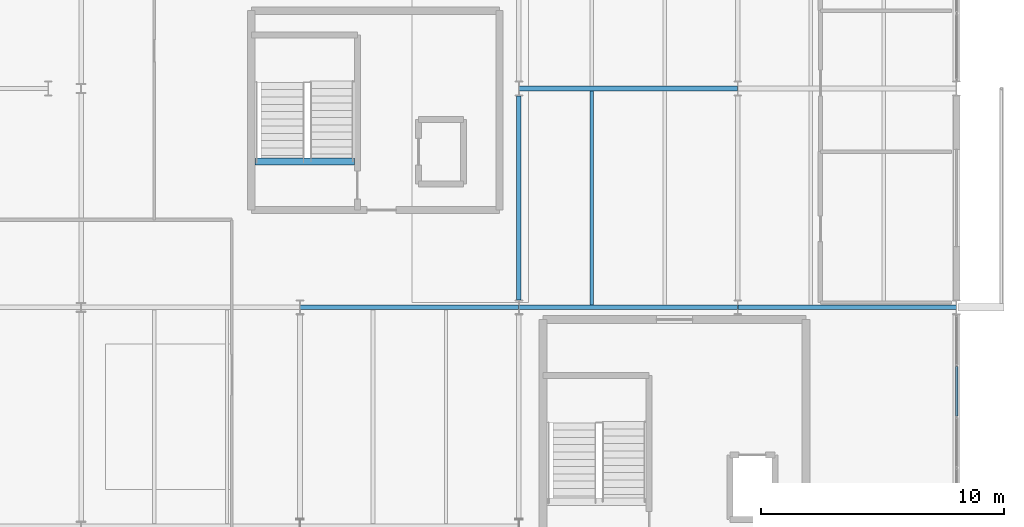
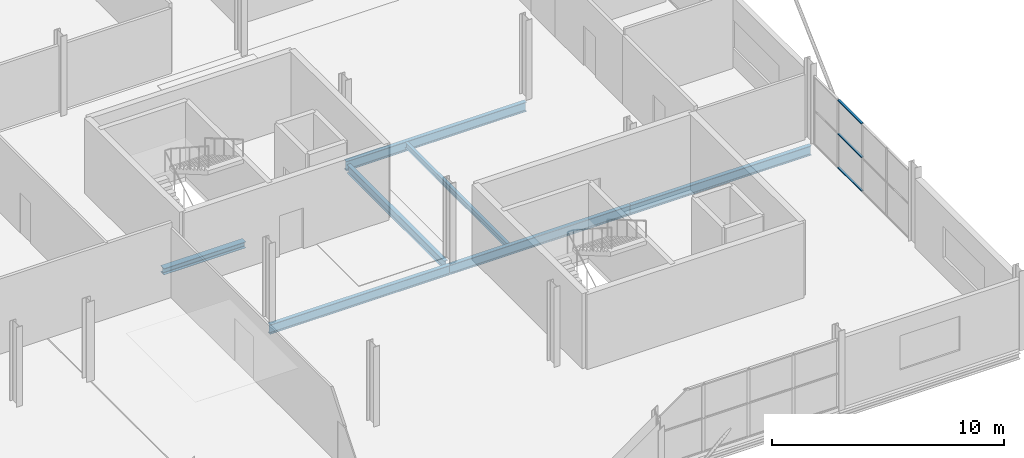
# One storey, part 35 of 59: 7 beams, 3 members, 1 element without a shape of its own.
"""IFC4 building model written with IfcOpenShell, lengths in metres."""

from ifc_helpers import new_model, si_unit, direction, frame, origin, origin_2d, place, context, subcontext, project, spatial, hollow_rectangle, i_section, extrude, material, layer, layer_set, material_profile, profile_set, type_object, element, aggregate, save


model = new_model("IFC4")

# Units and contexts
model_context = context("Model", 3, precision=1e-05, world=origin(), true_north=direction((0.0, 1.0)))
body_context = subcontext(model_context, "Body", "Model", "MODEL_VIEW")
ifc_project = project(units=[si_unit("LENGTHUNIT", "METRE"), si_unit("AREAUNIT", "SQUARE_METRE"), si_unit("VOLUMEUNIT", "CUBIC_METRE"), si_unit("PLANEANGLEUNIT", "RADIAN"), si_unit("MASSUNIT", "GRAM", prefix="KILO")], contexts=[model_context])

# Site, building, storey
site_placement = place(None, origin())
site = spatial("IfcSite", under=ifc_project, at=site_placement, CompositionType="ELEMENT")
building_placement = place(site_placement, origin())
building = spatial("IfcBuilding", under=site, at=building_placement, Name="Deido Ridge Mobility Hub", CompositionType="ELEMENT")
storey_placement = place(building_placement, frame((0.0, 0.0, 21.0)))
storey = spatial("IfcBuildingStorey", under=building, at=storey_placement, Name="L05", CompositionType="ELEMENT", Elevation=21.0)

# Beams
ifc_material_1 = material(Name="Steel S355J2 EN 10025-2", Category="steel")
ifc_material_profile_1 = material_profile(ifc_material_1, i_section(OverallWidth=0.300048828125, OverallDepth=0.330078125, WebThickness=0.009521484375, FlangeThickness=0.0166015625, FilletRadius=0.027099609375, at=origin_2d()), Name="HEA 340")
ifc_profile_set_1 = profile_set([ifc_material_profile_1], Name="Steel S355J2 EN 10025-2")
beam_type_1 = type_object("IfcBeamType", Name="BM-HEA340", PredefinedType="BEAM", material=ifc_profile_set_1)
beam_1_placement = place(storey_placement, frame((151.14990234375, 24.0, -0.409912109375), z_axis=(1.0, 0.0, 0.0), x_axis=(0.0, 1.0, 0.0)))
element("IfcBeam", 1, at=beam_1_placement, inside=storey, type_object=beam_type_1, Name="C3 stair landing trimmer beam B6", PredefinedType="BEAM", context=body_context, shape_type="SweptSolid", body=[
    extrude(i_section(OverallWidth=0.300048828125, OverallDepth=0.330078125, WebThickness=0.009521484375, FlangeThickness=0.0166015625, FilletRadius=0.027099609375, at=origin_2d()), origin(), (0.0, 0.0, 1.0), 4.085205078125),
])
ifc_material_profile_2 = material_profile(ifc_material_1, i_section(OverallWidth=0.18994140625, OverallDepth=0.449951171875, WebThickness=0.009521484375, FlangeThickness=0.0146484375, FilletRadius=0.02099609375, at=origin_2d()), Name="IPE 450")
ifc_profile_set_2 = profile_set([ifc_material_profile_2], Name="Steel S355J2 EN 10025-2")
beam_type_2 = type_object("IfcBeamType", Name="BM-IPE450", PredefinedType="BEAM", material=ifc_profile_set_2)
beam_2_placement = place(storey_placement, frame((162.0, 18.300048828125, -0.469970703125), z_axis=(0.0, 1.0, 0.0), x_axis=(-1.0, 0.0, 0.0)))
element("IfcBeam", 2, at=beam_2_placement, inside=storey, type_object=beam_type_2, Name="Floor beam B4", PredefinedType="BEAM", context=body_context, shape_type="SweptSolid", body=[
    extrude(i_section(OverallWidth=0.18994140625, OverallDepth=0.449951171875, WebThickness=0.009521484375, FlangeThickness=0.0146484375, FilletRadius=0.02099609375, at=origin_2d()), origin(), (0.0, 0.0, 1.0), 8.39990234375),
])
ifc_material_profile_3 = material_profile(ifc_material_1, i_section(OverallWidth=0.199951171875, OverallDepth=0.5, WebThickness=0.01025390625, FlangeThickness=0.01611328125, FilletRadius=0.02099609375, at=origin_2d()), Name="IPE 500")
ifc_profile_set_3 = profile_set([ifc_material_profile_3], Name="Steel S355J2 EN 10025-2")
beam_type_3 = type_object("IfcBeamType", Name="BM-IPE500", PredefinedType="BEAM", material=ifc_profile_set_3)
for number, where, z_axis, x_axis, name in (
    (3, (153.0078125, 18.0, -0.4951171875), (1.0, 0.0, 0.0), (0.0, 1.0, 0.0), "Floor beam B3"),
    (4, (162.0078125, 18.0, -0.4951171875), (1.0, 0.0, 0.0), (0.0, 1.0, 0.0), "Floor beam B3"),
    (5, (171.0078125, 18.0, -0.4951171875), (1.0, 0.0, 0.0), (0.0, 1.0, 0.0), "Floor beam B3"),
    (6, (162.0078125, 27.0, -0.4951171875), (1.0, 0.0, 0.0), (0.0, 1.0, 0.0), "Floor beam B3"),
):
    element("IfcBeam", number, at=place(storey_placement, frame(where, z_axis=z_axis, x_axis=x_axis)), inside=storey, type_object=beam_type_3, Name=name, PredefinedType="BEAM", context=body_context, shape_type="SweptSolid", body=[
        extrude(i_section(OverallWidth=0.199951171875, OverallDepth=0.5, WebThickness=0.01025390625, FlangeThickness=0.01611328125, FilletRadius=0.02099609375, at=origin_2d()), origin(), (0.0, 0.0, 1.0), 8.984375),
    ])
ifc_material_profile_4 = material_profile(ifc_material_1, i_section(OverallWidth=0.14990234375, OverallDepth=0.300048828125, WebThickness=0.007080078125, FlangeThickness=0.0107421875, FilletRadius=0.014892578125, at=origin_2d()), Name="IPE 300")
ifc_profile_set_4 = profile_set([ifc_material_profile_4], Name="Steel S355J2 EN 10025-2")
beam_type_4 = type_object("IfcBeamType", Name="JST-IPE300", PredefinedType="JOIST", material=ifc_profile_set_4)
beam_3_placement = place(storey_placement, frame((165.0, 18.10009765625, -0.39501953125), z_axis=(0.0, 1.0, 0.0), x_axis=(-1.0, 0.0, 0.0)))
element("IfcBeam", 7, at=beam_3_placement, inside=storey, type_object=beam_type_4, Name="Composite joist J3", PredefinedType="JOIST", context=body_context, shape_type="SweptSolid", body=[
    extrude(i_section(OverallWidth=0.14990234375, OverallDepth=0.300048828125, WebThickness=0.007080078125, FlangeThickness=0.0107421875, FilletRadius=0.014892578125, at=origin_2d()), origin(), (0.0, 0.0, 1.0), 8.7998046875),
])

# Curtain wall, members
ifc_material_2 = material(Name="Anodised aluminium EN AW-6063 T6", Category="aluminium")
ifc_layer = layer(ifc_material_2, 0.1650390625, Name="Anodised aluminium EN AW-6063 T6")
ifc_layer_set = layer_set([ifc_layer], Name="Anodised aluminium EN AW-6063 T6")
curtain_wall_type = type_object("IfcCurtainWallType", Name="CW-UF-1", PredefinedType="USERDEFINED", material=ifc_layer_set)
curtain_wall_placement = place(storey_placement, origin())
curtain_wall = element("IfcCurtainWall", 8, at=curtain_wall_placement, inside=storey, type_object=curtain_wall_type, Name="Unitised curtain wall CW1", ObjectType="UNITISED FACADE", PredefinedType="USERDEFINED")
ifc_material_profile_5 = material_profile(ifc_material_2, hollow_rectangle(XDim=0.10498046875, YDim=0.050048828125, WallThickness=0.00390625, at=origin_2d()), Name="RHS 105x50x4")
ifc_profile_set_5 = profile_set([ifc_material_profile_5], Name="Anodised aluminium EN AW-6063 T6")
member_type = type_object("IfcMemberType", Name="MEM-TRN-105X50", PredefinedType="USERDEFINED", material=ifc_profile_set_5)
member_1_placement = place(storey_placement, frame((180.0, 13.52490234375, 0.02490234375), z_axis=(0.0, 1.0, 0.0), x_axis=(-1.0, 0.0, 0.0)))
member_1 = element("IfcMember", 9, at=member_1_placement, type_object=member_type, Name="CW1 transom 3.1", ObjectType="TRANSOM", PredefinedType="USERDEFINED", context=body_context, shape_type="SweptSolid", body=[
    extrude(hollow_rectangle(XDim=0.10498046875, YDim=0.050048828125, WallThickness=0.00390625, at=origin_2d()), origin(), (0.0, 0.0, 1.0), 2.050048828125),
])
member_2_placement = place(storey_placement, frame((180.0, 13.52490234375, 1.800048828125), z_axis=(0.0, 1.0, 0.0), x_axis=(-1.0, 0.0, 0.0)))
member_2 = element("IfcMember", 10, at=member_2_placement, type_object=member_type, Name="CW1 transom 3.2", ObjectType="TRANSOM", PredefinedType="USERDEFINED", context=body_context, shape_type="SweptSolid", body=[
    extrude(hollow_rectangle(XDim=0.10498046875, YDim=0.050048828125, WallThickness=0.00390625, at=origin_2d()), origin(), (0.0, 0.0, 1.0), 2.050048828125),
])
member_3_placement = place(storey_placement, frame((180.0, 13.52490234375, 3.574951171875), z_axis=(0.0, 1.0, 0.0), x_axis=(-1.0, 0.0, 0.0)))
member_3 = element("IfcMember", 11, at=member_3_placement, type_object=member_type, Name="CW1 transom 3.3", ObjectType="TRANSOM", PredefinedType="USERDEFINED", context=body_context, shape_type="SweptSolid", body=[
    extrude(hollow_rectangle(XDim=0.10498046875, YDim=0.050048828125, WallThickness=0.00390625, at=origin_2d()), origin(), (0.0, 0.0, 1.0), 2.050048828125),
])
aggregate(curtain_wall, [member_1, member_2, member_3])

save(model, "model.ifc")
